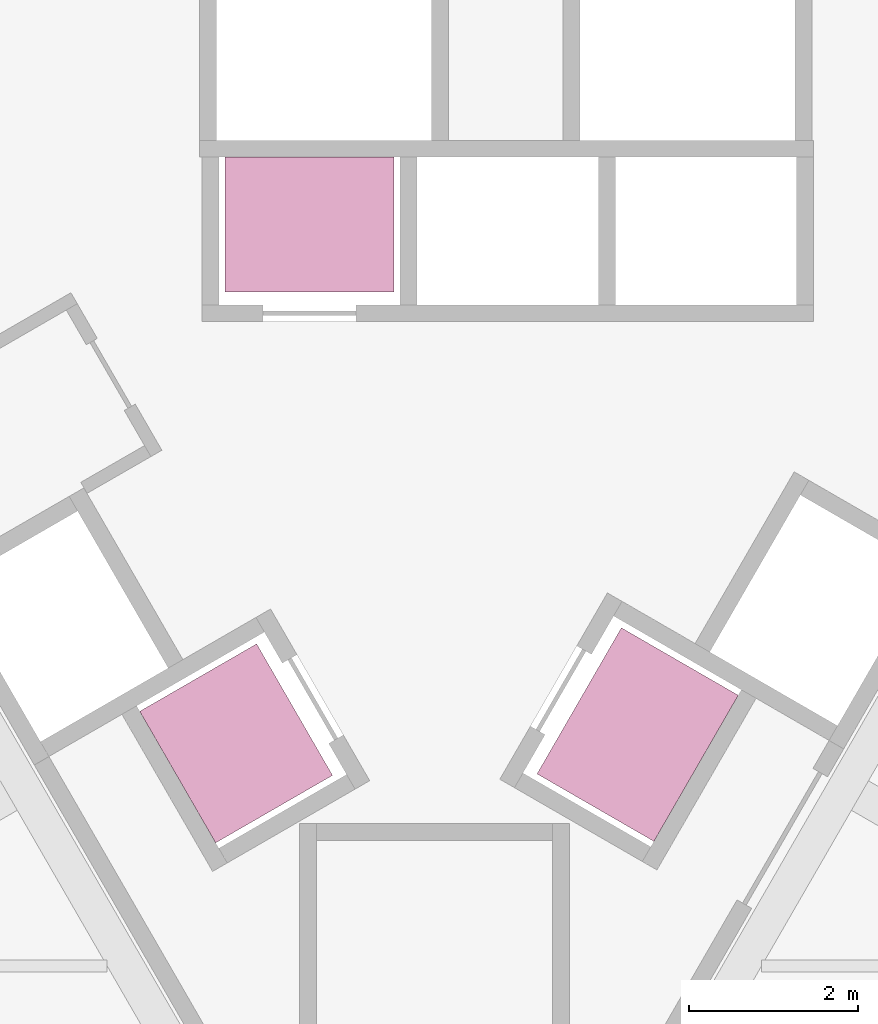
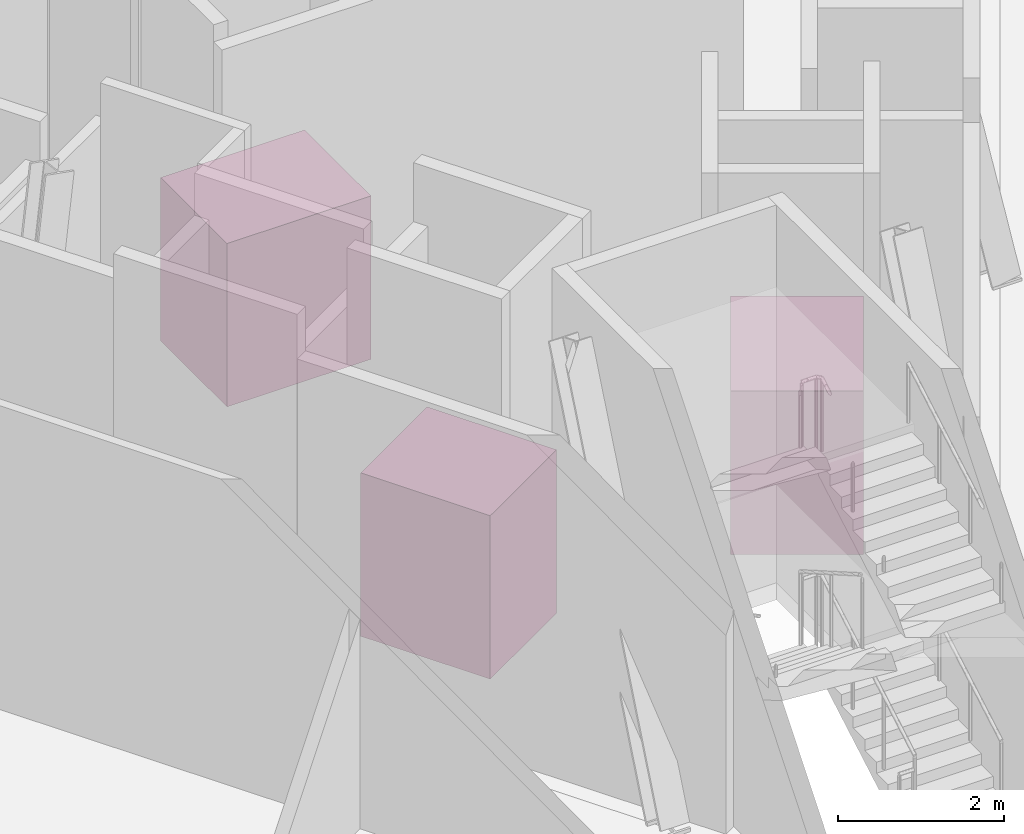
# One storey, part 25 of 25: 3 transport elements.
"""IFC4 building model written with IfcOpenShell, lengths in metres."""

from ifc_helpers import new_model, si_unit, direction, frame, origin, origin_2d, place, context, subcontext, project, spatial, rectangle, extrude, material, type_object, element, save


model = new_model("IFC4")

# Units and contexts
model_context = context("Model", 3, precision=1e-05, world=origin(), true_north=direction((0.0, 1.0)))
body_context = subcontext(model_context, "Body", "Model", "MODEL_VIEW")
ifc_project = project(units=[si_unit("LENGTHUNIT", "METRE"), si_unit("AREAUNIT", "SQUARE_METRE"), si_unit("VOLUMEUNIT", "CUBIC_METRE"), si_unit("PLANEANGLEUNIT", "RADIAN"), si_unit("MASSUNIT", "GRAM", prefix="KILO")], contexts=[model_context])

# Site, building, storey
site_placement = place(None, origin())
site = spatial("IfcSite", under=ifc_project, at=site_placement, CompositionType="ELEMENT")
building_placement = place(site_placement, origin())
building = spatial("IfcBuilding", under=site, at=building_placement, Name="Verrane Prism Tower", CompositionType="ELEMENT")
storey_placement = place(building_placement, frame((0.0, 0.0, 258.199951171875)))
storey = spatial("IfcBuildingStorey", under=building, at=storey_placement, Name="L65", CompositionType="ELEMENT", Elevation=258.199951171875)

# Transport elements
ifc_material_1 = material(Name="Stainless steel lift car", Category="steel")
transport_element_type_1 = type_object("IfcTransportElementType", Name="Lift car 1800x1600", PredefinedType="ELEVATOR", material=ifc_material_1)
transport_element_placement = place(storey_placement, frame((-2.35009765625, -7.049560546875, 0.0), z_axis=(0.0, 0.0, 1.0), x_axis=(0.5, -0.866025403784, 0.0)))
element("IfcTransportElement", 1, at=transport_element_placement, inside=storey, type_object=transport_element_type_1, Name="Bank C lift 1 car", PredefinedType="ELEVATOR", context=body_context, shape_type="SweptSolid", body=[
    extrude(rectangle(XDim=1.800048828125, YDim=1.60009765625, at=origin_2d()), origin(), (0.0, 0.0, 1.0), 2.39990234375),
])
ifc_material_2 = material(Name="Stainless steel lift car", Category="steel")
transport_element_type_2 = type_object("IfcTransportElementType", Name="Lift car 2000x1600", PredefinedType="ELEVATOR", material=ifc_material_2)
for number, where, z_axis, x_axis, name in (
    (2, (-1.47998046875, -0.89990234375, 0.0), (0.0, 0.0, 1.0), (-1.0, 0.0, 0.0), "Bank C lift 2 car"),
    (3, (2.41015625, -6.945556640625, 0.0), (0.0, 0.0, 1.0), (0.5, 0.866025403784, 0.0), "Bank C lift 3 car"),
):
    element("IfcTransportElement", number, at=place(storey_placement, frame(where, z_axis=z_axis, x_axis=x_axis)), inside=storey, type_object=transport_element_type_2, Name=name, PredefinedType="ELEVATOR", context=body_context, shape_type="SweptSolid", body=[
        extrude(rectangle(XDim=2.0, YDim=1.60009765625, at=origin_2d()), origin(), (0.0, 0.0, 1.0), 2.39990234375),
    ])

save(model, "model.ifc")
